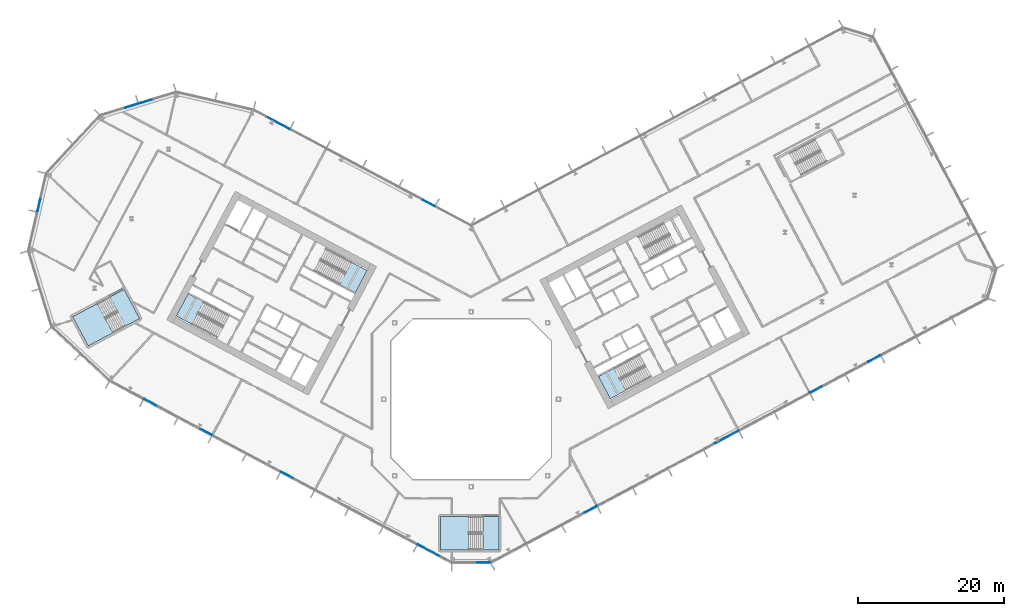
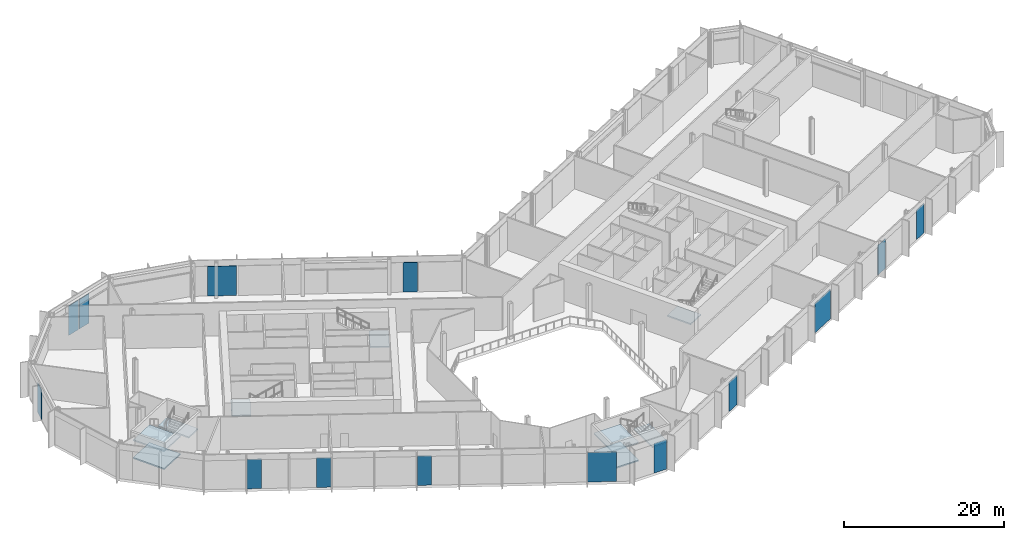
# One storey, part 9 of 32: 14 plates, 9 slabs, 11 elements without a shape of their own.
"""IFC4 building model written with IfcOpenShell, lengths in metres."""

from ifc_helpers import new_model, si_unit, direction, frame, origin, origin_2d, place, context, subcontext, project, spatial, polyline, rectangle, outline, extrude, material, layer, layer_set, type_object, element, aggregate, save


model = new_model("IFC4")

# Units and contexts
model_context = context("Model", 3, precision=1e-05, world=origin(), true_north=direction((0.0, 1.0)))
body_context = subcontext(model_context, "Body", "Model", "MODEL_VIEW")
ifc_project = project(units=[si_unit("LENGTHUNIT", "METRE"), si_unit("AREAUNIT", "SQUARE_METRE"), si_unit("VOLUMEUNIT", "CUBIC_METRE"), si_unit("PLANEANGLEUNIT", "RADIAN"), si_unit("MASSUNIT", "GRAM", prefix="KILO")], contexts=[model_context])

# Site, building, storey
site_placement = place(None, origin())
site = spatial("IfcSite", under=ifc_project, at=site_placement, CompositionType="ELEMENT")
building_placement = place(site_placement, origin())
building = spatial("IfcBuilding", under=site, at=building_placement, Name="Cormorant Relay Tower", CompositionType="ELEMENT")
storey_placement = place(building_placement, frame((0.0, 0.0, 60.800048828125)))
storey = spatial("IfcBuildingStorey", under=building, at=storey_placement, Name="L11", CompositionType="ELEMENT", Elevation=60.800048828125)

# Curtain wall, plate
ifc_material_1 = material(Name="Aluminium 6063-T6 anodised bronze", Category="aluminium")
ifc_layer_1 = layer(ifc_material_1, 0.235107421875)
ifc_layer_set_1 = layer_set([ifc_layer_1], Name="CW6 data hall curtain wall with mineral wool panels")
curtain_wall_type = type_object("IfcCurtainWallType", Name="CW6 data hall curtain wall with mineral wool panels", PredefinedType="NOTDEFINED", material=ifc_layer_set_1)
curtain_wall_1_placement = place(storey_placement, origin())
curtain_wall_1 = element("IfcCurtainWall", 1, at=curtain_wall_1_placement, inside=storey, type_object=curtain_wall_type, Name="CW6 curtain wall 1", PredefinedType="NOTDEFINED")
ifc_material_2 = material(Name="Tinted triple-glazed laminated unit")
ifc_layer_2 = layer(ifc_material_2, 0.074951171875)
ifc_layer_set_2 = layer_set([ifc_layer_2], Name="CW6 triple-glazed vision unit 1800 module")
plate_type_1 = type_object("IfcPlateType", Name="CW6 triple-glazed vision unit 1800 module", PredefinedType="CURTAIN_PANEL", material=ifc_layer_set_2)
plate_1_placement = place(storey_placement, frame((1.748779296875, -22.4130859375, 0.0), z_axis=(0.0, 0.0, 1.0), x_axis=(1.0, 0.0, 0.0)))
plate_1 = element("IfcPlate", 2, at=plate_1_placement, type_object=plate_type_1, Name="CW6 panel V01", PredefinedType="CURTAIN_PANEL", context=body_context, shape_type="SweptSolid", body=[
    extrude(rectangle(XDim=1.800048828125, YDim=0.074951171875, at=origin_2d()), origin(), (0.0, 0.0, 1.0), 4.5),
])
aggregate(curtain_wall_1, [plate_1])

# Curtain wall, plates
curtain_wall_2_placement = place(storey_placement, origin())
curtain_wall_2 = element("IfcCurtainWall", 3, at=curtain_wall_2_placement, inside=storey, type_object=curtain_wall_type, Name="CW6 curtain wall 2", PredefinedType="NOTDEFINED")
plate_2_placement = place(storey_placement, frame((16.405517578125, -15.103515625, 0.0), z_axis=(0.0, 0.0, 1.0), x_axis=(0.882947592859, 0.469471562786, 0.0)))
plate_2 = element("IfcPlate", 4, at=plate_2_placement, type_object=plate_type_1, Name="CW6 panel V02", PredefinedType="CURTAIN_PANEL", context=body_context, shape_type="SweptSolid", body=[
    extrude(rectangle(XDim=1.800048828125, YDim=0.074951171875, at=origin_2d()), origin(), (0.0, 0.0, 1.0), 4.5),
])
plate_3_placement = place(storey_placement, frame((47.327392578125, 1.337890625, 0.0), z_axis=(0.0, 0.0, 1.0), x_axis=(0.882947592859, 0.469471562786, 0.0)))
plate_3 = element("IfcPlate", 5, at=plate_3_placement, type_object=plate_type_1, Name="CW6 panel V09", PredefinedType="CURTAIN_PANEL", context=body_context, shape_type="SweptSolid", body=[
    extrude(rectangle(XDim=1.800048828125, YDim=0.074951171875, at=origin_2d()), origin(), (0.0, 0.0, 1.0), 4.5),
])
plate_4_placement = place(storey_placement, frame((55.339111328125, 5.597900390625, 0.0), z_axis=(0.0, 0.0, 1.0), x_axis=(0.882947592859, 0.469471562786, 0.0)))
plate_4 = element("IfcPlate", 6, at=plate_4_placement, type_object=plate_type_1, Name="CW6 panel V11", PredefinedType="CURTAIN_PANEL", context=body_context, shape_type="SweptSolid", body=[
    extrude(rectangle(XDim=1.800048828125, YDim=0.074951171875, at=origin_2d()), origin(), (0.0, 0.0, 1.0), 4.5),
])

# Curtain wall, plate
curtain_wall_3_placement = place(storey_placement, origin())
curtain_wall_3 = element("IfcCurtainWall", 7, at=curtain_wall_3_placement, inside=storey, type_object=curtain_wall_type, Name="CW6 curtain wall 7", PredefinedType="NOTDEFINED")
plate_5_placement = place(storey_placement, frame((-5.822265625, 26.922119140625, 0.0), z_axis=(0.0, 0.0, 1.0), x_axis=(-0.882947592859, 0.469471562786, 0.0)))
plate_5 = element("IfcPlate", 8, at=plate_5_placement, type_object=plate_type_1, Name="CW6 panel V01", PredefinedType="CURTAIN_PANEL", context=body_context, shape_type="SweptSolid", body=[
    extrude(rectangle(XDim=1.800048828125, YDim=0.074951171875, at=origin_2d()), origin(), (0.0, 0.0, 1.0), 4.5),
])

# Curtain wall, plates
curtain_wall_4_placement = place(storey_placement, origin())
curtain_wall_4 = element("IfcCurtainWall", 9, at=curtain_wall_4_placement, inside=storey, type_object=curtain_wall_type, Name="CW6 curtain wall 9", PredefinedType="NOTDEFINED")
plate_6_placement = place(storey_placement, frame((-44.74169921875, 40.84521484375, 0.0), z_axis=(0.0, 0.0, 1.0), x_axis=(-0.956304755963, -0.292371704723, 0.0)))
plate_6 = element("IfcPlate", 10, at=plate_6_placement, type_object=plate_type_1, Name="CW6 panel V01", PredefinedType="CURTAIN_PANEL", context=body_context, shape_type="SweptSolid", body=[
    extrude(rectangle(XDim=1.800048828125, YDim=0.074951171875, at=origin_2d()), origin(), (0.0, 0.0, 1.0), 4.5),
])
plate_7_placement = place(storey_placement, frame((-46.606689453125, 40.275146484375, 0.0), z_axis=(0.0, 0.0, 1.0), x_axis=(-0.956304755963, -0.292371704723, 0.0)))
plate_7 = element("IfcPlate", 11, at=plate_7_placement, type_object=plate_type_1, Name="CW6 panel V02", PredefinedType="CURTAIN_PANEL", context=body_context, shape_type="SweptSolid", body=[
    extrude(rectangle(XDim=1.800048828125, YDim=0.074951171875, at=origin_2d()), origin(), (0.0, 0.0, 1.0), 4.5),
])
aggregate(curtain_wall_4, [plate_6, plate_7])

# Curtain wall, plate
curtain_wall_5_placement = place(storey_placement, origin())
curtain_wall_5 = element("IfcCurtainWall", 12, at=curtain_wall_5_placement, inside=storey, type_object=curtain_wall_type, Name="CW6 curtain wall 11", PredefinedType="NOTDEFINED")
plate_8_placement = place(storey_placement, frame((-59.314453125, 26.647705078125, 0.0), z_axis=(0.0, 0.0, 1.0), x_axis=(-0.224951054344, -0.974370064785, 0.0)))
plate_8 = element("IfcPlate", 13, at=plate_8_placement, type_object=plate_type_1, Name="CW6 panel V01", PredefinedType="CURTAIN_PANEL", context=body_context, shape_type="SweptSolid", body=[
    extrude(rectangle(XDim=1.800048828125, YDim=0.074951171875, at=origin_2d()), origin(), (0.0, 0.0, 1.0), 4.5),
])
aggregate(curtain_wall_5, [plate_8])

# Curtain wall, plates
curtain_wall_6_placement = place(storey_placement, origin())
curtain_wall_6 = element("IfcCurtainWall", 14, at=curtain_wall_6_placement, inside=storey, type_object=curtain_wall_type, Name="CW6 curtain wall 14", PredefinedType="NOTDEFINED")
plate_9_placement = place(storey_placement, frame((-44.053955078125, -0.402587890625, 0.0), z_axis=(0.0, 0.0, 1.0), x_axis=(0.882947592859, -0.469471562786, 0.0)))
plate_9 = element("IfcPlate", 15, at=plate_9_placement, type_object=plate_type_1, Name="CW6 panel V01", PredefinedType="CURTAIN_PANEL", context=body_context, shape_type="SweptSolid", body=[
    extrude(rectangle(XDim=1.800048828125, YDim=0.074951171875, at=origin_2d()), origin(), (0.0, 0.0, 1.0), 4.5),
])
plate_10_placement = place(storey_placement, frame((-36.38720703125, -4.47900390625, 0.0), z_axis=(0.0, 0.0, 1.0), x_axis=(0.882947592859, -0.469471562786, 0.0)))
plate_10 = element("IfcPlate", 16, at=plate_10_placement, type_object=plate_type_1, Name="CW6 panel V03", PredefinedType="CURTAIN_PANEL", context=body_context, shape_type="SweptSolid", body=[
    extrude(rectangle(XDim=1.800048828125, YDim=0.074951171875, at=origin_2d()), origin(), (0.0, 0.0, 1.0), 4.5),
])
plate_11_placement = place(storey_placement, frame((-25.27685546875, -10.386474609375, 0.0), z_axis=(0.0, 0.0, 1.0), x_axis=(0.882947592859, -0.469471562786, 0.0)))
plate_11 = element("IfcPlate", 17, at=plate_11_placement, type_object=plate_type_1, Name="CW6 panel V05", PredefinedType="CURTAIN_PANEL", context=body_context, shape_type="SweptSolid", body=[
    extrude(rectangle(XDim=1.800048828125, YDim=0.074951171875, at=origin_2d()), origin(), (0.0, 0.0, 1.0), 4.5),
])

# Plate
ifc_material_3 = material(Name="Tinted triple-glazed laminated unit")
ifc_layer_3 = layer(ifc_material_3, 0.074951171875)
ifc_layer_set_3 = layer_set([ifc_layer_3], Name="CW6 triple-glazed vision unit 3600 module")
plate_type_2 = type_object("IfcPlateType", Name="CW6 triple-glazed vision unit 3600 module", PredefinedType="CURTAIN_PANEL", material=ifc_layer_set_3)
plate_12_placement = place(storey_placement, frame((35.07763671875, -5.17529296875, 0.0), z_axis=(0.0, 0.0, 1.0), x_axis=(0.882947592859, 0.469471562786, 0.0)))
plate_12 = element("IfcPlate", 18, at=plate_12_placement, type_object=plate_type_2, Name="CW6 panel V06", PredefinedType="CURTAIN_PANEL", context=body_context, shape_type="SweptSolid", body=[
    extrude(rectangle(XDim=3.60009765625, YDim=0.074951171875, at=origin_2d()), origin(), (0.0, 0.0, 1.0), 4.5),
])

aggregate(curtain_wall_2, [plate_2, plate_12, plate_3, plate_4])

plate_13_placement = place(storey_placement, frame((-26.53271484375, 37.93408203125, 0.0), z_axis=(0.0, 0.0, 1.0), x_axis=(-0.882947592859, 0.469471562786, 0.0)))
plate_13 = element("IfcPlate", 19, at=plate_13_placement, type_object=plate_type_2, Name="CW6 panel V05", PredefinedType="CURTAIN_PANEL", context=body_context, shape_type="SweptSolid", body=[
    extrude(rectangle(XDim=3.60009765625, YDim=0.074951171875, at=origin_2d()), origin(), (0.0, 0.0, 1.0), 4.5),
])

aggregate(curtain_wall_3, [plate_5, plate_13])

plate_14_placement = place(storey_placement, frame((-5.705078125, -20.79296875, 0.0), z_axis=(0.0, 0.0, 1.0), x_axis=(0.882947592859, -0.469471562786, 0.0)))
plate_14 = element("IfcPlate", 20, at=plate_14_placement, type_object=plate_type_2, Name="CW6 panel V08", PredefinedType="CURTAIN_PANEL", context=body_context, shape_type="SweptSolid", body=[
    extrude(rectangle(XDim=3.60009765625, YDim=0.074951171875, at=origin_2d()), origin(), (0.0, 0.0, 1.0), 4.5),
])

aggregate(curtain_wall_6, [plate_9, plate_10, plate_11, plate_14])

# Stair, slab
ifc_material_4 = material(Name="Concrete 40 MPa", Category="concrete")
stair_type_1 = type_object("IfcStairType", Name="Exit stair 1500", PredefinedType="HALF_TURN_STAIR", material=ifc_material_4)
stair_1_placement = place(storey_placement, origin())
stair_1 = element("IfcStair", 21, at=stair_1_placement, inside=storey, type_object=stair_type_1, Name="L11 Stair", PredefinedType="HALF_TURN_STAIR")
ifc_material_5 = material(Name="Concrete 40 MPa", Category="concrete")
ifc_layer_4 = layer(ifc_material_5, 0.199951171875)
ifc_layer_set_4 = layer_set([ifc_layer_4], Name="Exit stair landing 200")
slab_type = type_object("IfcSlabType", Name="Exit stair landing 200", PredefinedType="LANDING", material=ifc_layer_set_4)
slab_1_placement = place(storey_placement, frame((0.0, 0.0, 2.5)))
slab_1 = element("IfcSlab", 22, at=slab_1_placement, type_object=slab_type, Name="A1 landing 1", PredefinedType="LANDING", context=body_context, shape_type="SweptSolid", body=[
    extrude(outline(polyline([(-18.04052734375, 15.764892578125), (-15.89501953125, 14.6240234375), (-14.275390625, 17.670166015625), (-16.4208984375, 18.81103515625), (-18.04052734375, 15.764892578125)])), origin(), (0.0, 0.0, 1.0), 0.199951171875),
])
aggregate(stair_1, [slab_1])

stair_2_placement = place(storey_placement, origin())
stair_2 = element("IfcStair", 23, at=stair_2_placement, inside=storey, type_object=stair_type_1, Name="L11 Stair", PredefinedType="HALF_TURN_STAIR")
slab_2_placement = place(storey_placement, frame((0.0, 0.0, 2.5)))
slab_2 = element("IfcSlab", 24, at=slab_2_placement, type_object=slab_type, Name="A2 landing 1", PredefinedType="LANDING", context=body_context, shape_type="SweptSolid", body=[
    extrude(outline(polyline([(-36.7021484375, 13.34228515625), (-38.84765625, 14.483154296875), (-40.467529296875, 11.43701171875), (-38.32177734375, 10.296142578125), (-36.7021484375, 13.34228515625)])), origin(), (0.0, 0.0, 1.0), 0.199951171875),
])
aggregate(stair_2, [slab_2])

stair_3_placement = place(storey_placement, origin())
stair_3 = element("IfcStair", 25, at=stair_3_placement, inside=storey, type_object=stair_type_1, Name="L11 Stair", PredefinedType="HALF_TURN_STAIR")
slab_3_placement = place(storey_placement, frame((0.0, 0.0, 2.5)))
slab_3 = element("IfcSlab", 26, at=slab_3_placement, type_object=slab_type, Name="B1 landing 1", PredefinedType="LANDING", context=body_context, shape_type="SweptSolid", body=[
    extrude(outline(polyline([(19.6259765625, 4.262939453125), (17.48046875, 3.1220703125), (19.10009765625, 0.075927734375), (21.24560546875, 1.216552734375), (19.6259765625, 4.262939453125)])), origin(), (0.0, 0.0, 1.0), 0.199951171875),
])
aggregate(stair_3, [slab_3])

# Stair, slabs
ifc_material_6 = material(Name="Concrete 40 MPa", Category="concrete")
stair_type_2 = type_object("IfcStairType", Name="Remote exit stair 2200", PredefinedType="HALF_TURN_STAIR", material=ifc_material_6)
stair_4_placement = place(storey_placement, origin())
stair_4 = element("IfcStair", 27, at=stair_4_placement, inside=storey, type_object=stair_type_2, Name="L11 Stair", PredefinedType="HALF_TURN_STAIR")
slab_4_placement = place(storey_placement, frame((0.0, 0.0, 1.14990234375)))
slab_4 = element("IfcSlab", 28, at=slab_4_placement, type_object=slab_type, Name="RK1 landing 1", PredefinedType="LANDING", context=body_context, shape_type="SweptSolid", body=[
    extrude(outline(polyline([(-0.360107421875, -16.125), (-4.199951171875, -16.125), (-4.199951171875, -20.675048828125), (-0.360107421875, -20.675048828125), (-0.360107421875, -16.125)])), origin(), (0.0, 0.0, 1.0), 0.199951171875),
])
slab_5_placement = place(storey_placement, frame((0.0, 0.0, 2.5)))
slab_5 = element("IfcSlab", 29, at=slab_5_placement, type_object=slab_type, Name="RK1 landing 2", PredefinedType="LANDING", context=body_context, shape_type="SweptSolid", body=[
    extrude(outline(polyline([(3.800048828125, -16.125), (1.60009765625, -16.125), (1.60009765625, -20.675048828125), (3.800048828125, -20.675048828125), (3.800048828125, -16.125)])), origin(), (0.0, 0.0, 1.0), 0.199951171875),
])
slab_6_placement = place(storey_placement, frame((0.0, 0.0, 3.849853515625)))
slab_6 = element("IfcSlab", 30, at=slab_6_placement, type_object=slab_type, Name="RK1 landing 3", PredefinedType="LANDING", context=body_context, shape_type="SweptSolid", body=[
    extrude(outline(polyline([(-0.360107421875, -16.125), (-4.199951171875, -16.125), (-4.199951171875, -20.675048828125), (-0.360107421875, -20.675048828125), (-0.360107421875, -16.125)])), origin(), (0.0, 0.0, 1.0), 0.2001953125),
])
aggregate(stair_4, [slab_4, slab_5, slab_6])

stair_5_placement = place(storey_placement, origin())
stair_5 = element("IfcStair", 31, at=stair_5_placement, inside=storey, type_object=stair_type_2, Name="L11 Stair", PredefinedType="HALF_TURN_STAIR")
slab_7_placement = place(storey_placement, frame((0.0, 0.0, 1.14990234375)))
slab_7 = element("IfcSlab", 32, at=slab_7_placement, type_object=slab_type, Name="RP1 landing 1", PredefinedType="LANDING", context=body_context, shape_type="SweptSolid", body=[
    extrude(outline(polyline([(-51.309326171875, 13.133544921875), (-54.699951171875, 11.330810546875), (-52.563720703125, 7.3134765625), (-49.17333984375, 9.1162109375), (-51.309326171875, 13.133544921875)])), origin(), (0.0, 0.0, 1.0), 0.199951171875),
])
slab_8_placement = place(storey_placement, frame((0.0, 0.0, 2.5)))
slab_8 = element("IfcSlab", 33, at=slab_8_placement, type_object=slab_type, Name="RP1 landing 2", PredefinedType="LANDING", context=body_context, shape_type="SweptSolid", body=[
    extrude(outline(polyline([(-47.63623046875, 15.086669921875), (-49.578857421875, 14.0537109375), (-47.442626953125, 10.036376953125), (-45.500244140625, 11.069091796875), (-47.63623046875, 15.086669921875)])), origin(), (0.0, 0.0, 1.0), 0.199951171875),
])
slab_9_placement = place(storey_placement, frame((0.0, 0.0, 3.849853515625)))
slab_9 = element("IfcSlab", 34, at=slab_9_placement, type_object=slab_type, Name="RP1 landing 3", PredefinedType="LANDING", context=body_context, shape_type="SweptSolid", body=[
    extrude(outline(polyline([(-51.309326171875, 13.133544921875), (-54.699951171875, 11.330810546875), (-52.563720703125, 7.3134765625), (-49.17333984375, 9.1162109375), (-51.309326171875, 13.133544921875)])), origin(), (0.0, 0.0, 1.0), 0.2001953125),
])
aggregate(stair_5, [slab_7, slab_8, slab_9])

save(model, "model.ifc")
